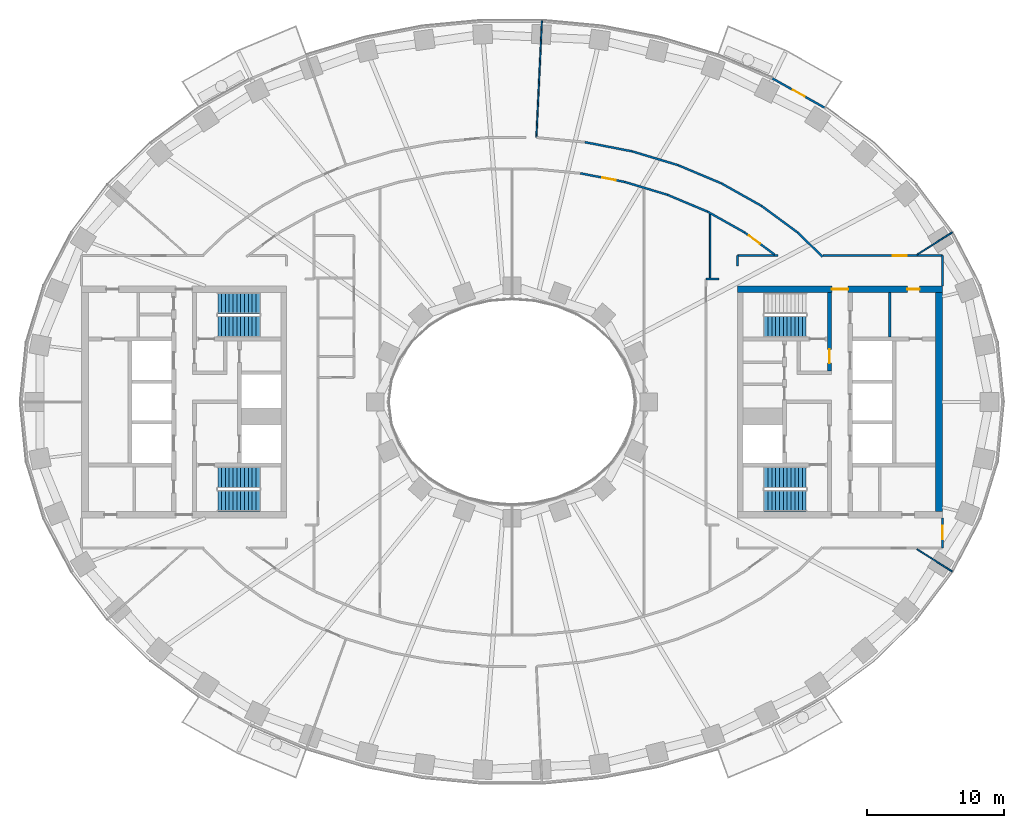
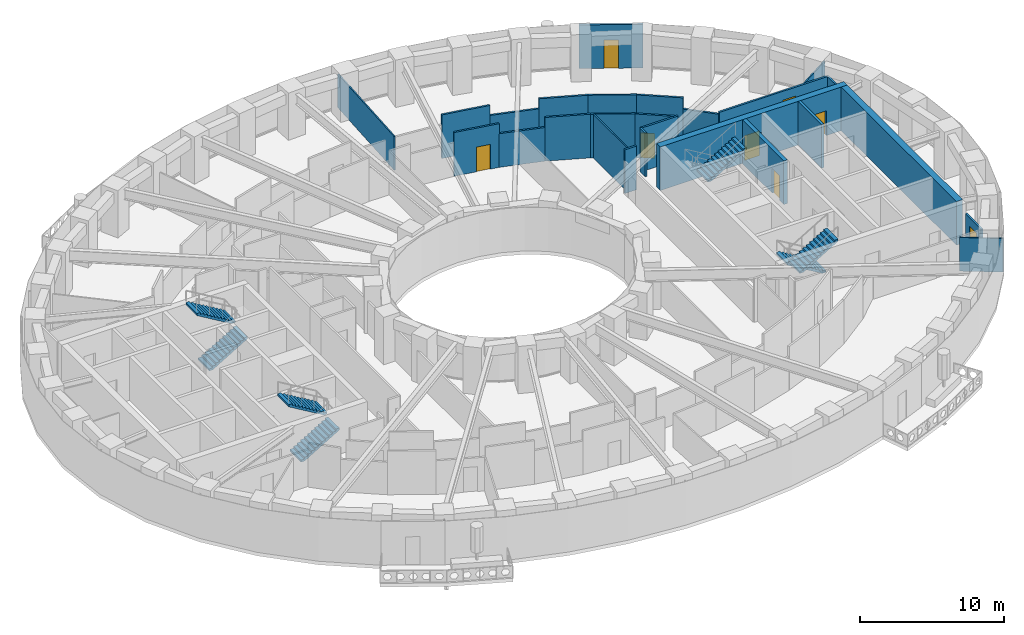
# One storey, part 7 of 16: 26 walls, 8 doors, 7 stair flights, 8 openings, 4 elements without a shape of their own.
"""IFC4 building model written with IfcOpenShell, lengths in metres."""

from ifc_helpers import new_model, si_unit, direction, frame, frame_2d, origin, place, context, subcontext, project, spatial, polyline, rectangle, outline, extrude, material, layer, layer_set, type_object, element, fill, aggregate, save


model = new_model("IFC4")

# Units and contexts
model_context = context("Model", 3, precision=1e-05, world=origin(), true_north=direction((0.0, 1.0)))
body_context = subcontext(model_context, "Body", "Model", "MODEL_VIEW")
ifc_project = project(units=[si_unit("LENGTHUNIT", "METRE"), si_unit("AREAUNIT", "SQUARE_METRE"), si_unit("VOLUMEUNIT", "CUBIC_METRE"), si_unit("PLANEANGLEUNIT", "RADIAN"), si_unit("MASSUNIT", "GRAM", prefix="KILO")], contexts=[model_context])

# Site, building, storey
site_placement = place(None, origin())
site = spatial("IfcSite", under=ifc_project, at=site_placement, CompositionType="ELEMENT")
building_placement = place(site_placement, origin())
building = spatial("IfcBuilding", under=site, at=building_placement, Name="Noorbagh Ring Tower", CompositionType="ELEMENT")
storey_placement = place(building_placement, frame((0.0, 0.0, 74.5)))
storey = spatial("IfcBuildingStorey", under=building, at=storey_placement, Name="L16", CompositionType="ELEMENT", Elevation=74.5)

# Wall
ifc_material_1 = material(Name="Gypsum board on steel studs", Category="steel")
ifc_layer_1 = layer(ifc_material_1, 0.199951171875)
ifc_layer_set_1 = layer_set([ifc_layer_1], Name="Gypsum board on steel studs")
wall_type_1 = type_object("IfcWallType", Name="CORE-PARTITION-200", PredefinedType="PARTITIONING", material=ifc_layer_set_1)
wall_1_placement = place(storey_placement, frame((27.64990234375, 4.75, 0.0), z_axis=(0.0, 0.0, 1.0), x_axis=(0.0, 1.0, 0.0)))
element("IfcWall", 1, at=wall_1_placement, inside=storey, type_object=wall_type_1, Name="Core partition E", PredefinedType="PARTITIONING", context=body_context, shape_type="SweptSolid", body=[
    extrude(rectangle(XDim=3.25, YDim=0.199951171875, at=frame_2d((1.625, 0.0))), origin(), (0.0, 0.0, 1.0), 3.699951171875),
])

# Wall, opening, door
ifc_material_2 = material(Name="Concrete C70/85", Category="concrete")
ifc_layer_2 = layer(ifc_material_2, 0.300048828125)
ifc_layer_set_2 = layer_set([ifc_layer_2], Name="Concrete C70/85")
wall_type_2 = type_object("IfcWallType", Name="CORE-WALL-300-C70-85-EI240", PredefinedType="SHEAR", material=ifc_layer_set_2)
wall_2_placement = place(storey_placement, frame((23.22998046875, 2.25, 0.0), z_axis=(0.0, 0.0, 1.0), x_axis=(0.0, 1.0, 0.0)))
wall_2 = element("IfcWall", 2, at=wall_2_placement, inside=storey, type_object=wall_type_2, Name="Core wall E", PredefinedType="SHEAR", context=body_context, shape_type="SweptSolid", body=[
    extrude(rectangle(XDim=5.75, YDim=0.300048828125, at=frame_2d((2.875, 0.0))), origin(), (0.0, 0.0, 1.0), 3.699951171875),
])
opening_1_placement = place(wall_2_placement, frame((0.60009765625, 0.0, 0.0)))
opening_1 = element("IfcOpeningElement", 3, at=opening_1_placement, cuts=wall_2, Name="Opening L16-CE08", PredefinedType="OPENING", context=body_context, shape_type="SweptSolid", body=[
    extrude(rectangle(XDim=1.0, YDim=2.10009765625, at=frame_2d((0.5, 1.050048828125))), frame((0.0, 0.16015625, 0.0), z_axis=(0.0, -1.0, 0.0), x_axis=(1.0, 0.0, 0.0)), (0.0, 0.0, 1.0), 0.320068359375),
])
ifc_material_3 = material(Name="Steel door leaf", Category="steel")
door_type_1 = type_object("IfcDoorType", Name="CORE-DOOR-DVEST", OperationType="SINGLE_SWING_LEFT", PredefinedType="DOOR", material=ifc_material_3)
door_1_placement = place(opening_1_placement, origin())
door_1 = element("IfcDoor", 4, at=door_1_placement, inside=storey, type_object=door_type_1, Name="Stair vestibule door L16-CE08", OperationType="SINGLE_SWING_RIGHT", OverallHeight=2.10009765625, OverallWidth=1.0, PredefinedType="DOOR", context=body_context, shape_type="SweptSolid", body=[
    extrude(rectangle(XDim=1.0, YDim=2.10009765625, at=frame_2d((0.5, 1.050048828125))), frame((0.0, 0.02490234375, 0.0), z_axis=(0.0, -1.0, 0.0), x_axis=(1.0, 0.0, 0.0)), (0.0, 0.0, 1.0), 0.050048828125),
])
fill(opening_1, door_1)

# Wall, openings, doors
ifc_material_4 = material(Name="Concrete C70/85", Category="concrete")
ifc_layer_3 = layer(ifc_material_4, 0.5)
ifc_layer_set_3 = layer_set([ifc_layer_3], Name="Concrete C70/85")
wall_type_3 = type_object("IfcWallType", Name="CORE-WALL-500-C70-85-EI240", PredefinedType="SHEAR", material=ifc_layer_set_3)
wall_3_placement = place(storey_placement, frame((16.5, 8.25, 0.0), z_axis=(0.0, 0.0, 1.0), x_axis=(1.0, 0.0, 0.0)))
wall_3 = element("IfcWall", 5, at=wall_3_placement, inside=storey, type_object=wall_type_3, Name="Core wall E", PredefinedType="SHEAR", context=body_context, shape_type="SweptSolid", body=[
    extrude(rectangle(XDim=15.0, YDim=0.5, at=frame_2d((7.5, 0.0))), origin(), (0.0, 0.0, 1.0), 3.699951171875),
])
opening_2_placement = place(wall_3_placement, frame((6.89990234375, 0.0, 0.0)))
opening_2 = element("IfcOpeningElement", 6, at=opening_2_placement, cuts=wall_3, Name="Opening L16-CE09", PredefinedType="OPENING", context=body_context, shape_type="SweptSolid", body=[
    extrude(rectangle(XDim=1.199951171875, YDim=2.10009765625, at=frame_2d((0.60009765625, 1.050048828125))), frame((0.0, 0.260009765625, 0.0), z_axis=(0.0, -1.0, 0.0), x_axis=(1.0, 0.0, 0.0)), (0.0, 0.0, 1.0), 0.52001953125),
])
opening_3_placement = place(wall_3_placement, frame((12.425048828125, 0.0, 0.0)))
opening_3 = element("IfcOpeningElement", 7, at=opening_3_placement, cuts=wall_3, Name="Opening L16-CE15", PredefinedType="OPENING", context=body_context, shape_type="SweptSolid", body=[
    extrude(rectangle(XDim=0.89990234375, YDim=2.10009765625, at=frame_2d((0.449951171875, 1.050048828125))), frame((0.0, 0.260009765625, 0.0), z_axis=(0.0, -1.0, 0.0), x_axis=(1.0, 0.0, 0.0)), (0.0, 0.0, 1.0), 0.52001953125),
])
ifc_material_5 = material(Name="Steel door leaf", Category="steel")
door_type_2 = type_object("IfcDoorType", Name="CORE-DOOR-DROOM", OperationType="SINGLE_SWING_LEFT", PredefinedType="DOOR", material=ifc_material_5)
door_2_placement = place(opening_3_placement, origin())
door_2 = element("IfcDoor", 8, at=door_2_placement, inside=storey, type_object=door_type_2, Name="Core room door L16-CE15", OperationType="SINGLE_SWING_LEFT", OverallHeight=2.10009765625, OverallWidth=0.89990234375, PredefinedType="DOOR", context=body_context, shape_type="SweptSolid", body=[
    extrude(rectangle(XDim=0.89990234375, YDim=2.10009765625, at=frame_2d((0.449951171875, 1.050048828125))), frame((0.0, 0.02490234375, 0.0), z_axis=(0.0, -1.0, 0.0), x_axis=(1.0, 0.0, 0.0)), (0.0, 0.0, 1.0), 0.050048828125),
])
fill(opening_3, door_2)
ifc_material_6 = material(Name="Steel door leaf", Category="steel")
door_type_3 = type_object("IfcDoorType", Name="CORE-DOOR-PORT", OperationType="DOUBLE_DOOR_DOUBLE_SWING", PredefinedType="DOOR", material=ifc_material_6)
door_3_placement = place(opening_2_placement, origin())
door_3 = element("IfcDoor", 9, at=door_3_placement, inside=storey, type_object=door_type_3, Name="Core entrance door L16-CE09", OperationType="DOUBLE_DOOR_DOUBLE_SWING", OverallHeight=2.10009765625, OverallWidth=1.199951171875, PredefinedType="DOOR", context=body_context, shape_type="SweptSolid", body=[
    extrude(rectangle(XDim=1.199951171875, YDim=2.10009765625, at=frame_2d((0.60009765625, 1.050048828125))), frame((0.0, 0.02490234375, 0.0), z_axis=(0.0, -1.0, 0.0), x_axis=(1.0, 0.0, 0.0)), (0.0, 0.0, 1.0), 0.050048828125),
])
fill(opening_2, door_3)

# Wall
wall_4_placement = place(storey_placement, frame((31.25, -8.0, 0.0), z_axis=(0.0, 0.0, 1.0), x_axis=(0.0, 1.0, 0.0)))
element("IfcWall", 10, at=wall_4_placement, inside=storey, type_object=wall_type_3, Name="Core wall E", PredefinedType="SHEAR", context=body_context, shape_type="SweptSolid", body=[
    extrude(rectangle(XDim=16.0, YDim=0.5, at=frame_2d((8.0, 0.0))), origin(), (0.0, 0.0, 1.0), 3.699951171875),
])

# Wall, opening, door
ifc_material_7 = material(Name="Gypsum board on steel studs", Category="steel")
ifc_layer_4 = layer(ifc_material_7, 0.14990234375)
ifc_layer_set_4 = layer_set([ifc_layer_4], Name="Gypsum board on steel studs")
wall_type_4 = type_object("IfcWallType", Name="CORRIDOR PARTITION 150 EI 30", PredefinedType="PARTITIONING", material=ifc_layer_set_4)
wall_5_placement = place(storey_placement, frame((4.998046875, 16.73095703125, 0.0), z_axis=(0.0, 0.0, 1.0), x_axis=(0.981621529558, -0.190838079815, 0.0)))
wall_5 = element("IfcWall", 11, at=wall_5_placement, inside=storey, type_object=wall_type_4, Name="L16/wall/P70", PredefinedType="PARTITIONING", context=body_context, shape_type="SweptSolid", body=[
    extrude(rectangle(XDim=3.310791015625, YDim=0.14990234375, at=frame_2d((1.6552734375, 0.0))), origin(), (0.0, 0.0, 1.0), 3.699951171875),
])
opening_4_placement = place(wall_5_placement, frame((1.64990234375, 0.0, 0.0)))
opening_4 = element("IfcOpeningElement", 12, at=opening_4_placement, cuts=wall_5, Name="Opening D1", PredefinedType="OPENING", context=body_context, shape_type="SweptSolid", body=[
    extrude(rectangle(XDim=1.0, YDim=2.10009765625, at=frame_2d((0.5, 1.050048828125))), frame((0.0, 0.0849609375, 0.0), z_axis=(0.0, -1.0, 0.0), x_axis=(1.0, 0.0, 0.0)), (0.0, 0.0, 1.0), 0.169921875),
])
ifc_material_8 = material(Name="Timber, painted", Category="wood")
door_type_4 = type_object("IfcDoorType", Name="DOOR 1000 X 2100 FD30", OperationType="SINGLE_SWING_LEFT", PredefinedType="DOOR", material=ifc_material_8)
door_4_placement = place(opening_4_placement, origin())
door_4 = element("IfcDoor", 13, at=door_4_placement, inside=storey, type_object=door_type_4, Name="L16-D18", OperationType="SINGLE_SWING_RIGHT", OverallHeight=2.10009765625, OverallWidth=1.0, PredefinedType="DOOR", context=body_context, shape_type="SweptSolid", body=[
    extrude(rectangle(XDim=1.0, YDim=2.10009765625, at=frame_2d((0.5, 1.050048828125))), frame((0.0, 0.02490234375, 0.0), z_axis=(0.0, -1.0, 0.0), x_axis=(1.0, 0.0, 0.0)), (0.0, 0.0, 1.0), 0.050048828125),
])
fill(opening_4, door_4)

# Walls
wall_6_placement = place(storey_placement, frame((5.327880859375, 19.010009765625, 0.0), z_axis=(0.0, 0.0, 1.0), x_axis=(0.981620418387, -0.190843795306, 0.0)))
element("IfcWall", 14, at=wall_6_placement, inside=storey, type_object=wall_type_4, Name="L16/wall/P72", PredefinedType="PARTITIONING", context=body_context, shape_type="SweptSolid", body=[
    extrude(rectangle(XDim=3.537109375, YDim=0.14990234375, at=frame_2d((1.7685546875, 0.0))), origin(), (0.0, 0.0, 1.0), 3.699951171875),
])
wall_7_placement = place(storey_placement, frame((8.248046875, 16.09912109375, 0.0), z_axis=(0.0, 0.0, 1.0), x_axis=(0.95757464185, -0.28818536619, 0.0)))
element("IfcWall", 15, at=wall_7_placement, inside=storey, type_object=wall_type_4, Name="L16/wall/P74", PredefinedType="PARTITIONING", context=body_context, shape_type="SweptSolid", body=[
    extrude(rectangle(XDim=3.262451171875, YDim=0.14990234375, at=frame_2d((1.63134765625, 0.0))), origin(), (0.0, 0.0, 1.0), 2.85009765625),
])
wall_8_placement = place(storey_placement, frame((8.800048828125, 18.3349609375, 0.0), z_axis=(0.0, 0.0, 1.0), x_axis=(0.957528149021, -0.288339806186, 0.0)))
element("IfcWall", 16, at=wall_8_placement, inside=storey, type_object=wall_type_4, Name="L16/wall/P76", PredefinedType="PARTITIONING", context=body_context, shape_type="SweptSolid", body=[
    extrude(rectangle(XDim=3.49951171875, YDim=0.14990234375, at=frame_2d((1.749755859375, 0.0))), origin(), (0.0, 0.0, 1.0), 2.85009765625),
])
wall_9_placement = place(storey_placement, frame((11.3720703125, 15.158935546875, 0.0), z_axis=(0.0, 0.0, 1.0), x_axis=(0.921799502591, -0.387666966638, 0.0)))
element("IfcWall", 17, at=wall_9_placement, inside=storey, type_object=wall_type_4, Name="L16/wall/P79", PredefinedType="PARTITIONING", context=body_context, shape_type="SweptSolid", body=[
    extrude(rectangle(XDim=3.1904296875, YDim=0.14990234375, at=frame_2d((1.59521484375, 0.0))), origin(), (0.0, 0.0, 1.0), 3.699951171875),
])
wall_10_placement = place(storey_placement, frame((12.15087890625, 17.325927734375, 0.0), z_axis=(0.0, 0.0, 1.0), x_axis=(0.921891448612, -0.387448263612, 0.0)))
element("IfcWall", 18, at=wall_10_placement, inside=storey, type_object=wall_type_4, Name="L16/wall/P81", PredefinedType="PARTITIONING", context=body_context, shape_type="SweptSolid", body=[
    extrude(rectangle(XDim=3.443115234375, YDim=0.14990234375, at=frame_2d((1.7216796875, 0.0))), origin(), (0.0, 0.0, 1.0), 3.699951171875),
])
wall_11_placement = place(storey_placement, frame((14.199951171875, 9.0, 0.0), z_axis=(0.0, 0.0, 1.0), x_axis=(1.0, 0.0, 0.0)))
element("IfcWall", 19, at=wall_11_placement, inside=storey, type_object=wall_type_4, Name="L16/wall/P84", PredefinedType="PARTITIONING", context=body_context, shape_type="SweptSolid", body=[
    extrude(rectangle(XDim=0.93408203125, YDim=0.14990234375, at=frame_2d((0.467041015625, 0.0))), origin(), (0.0, 0.0, 1.0), 3.699951171875),
])
wall_12_placement = place(storey_placement, frame((14.31298828125, 13.922119140625, 0.0), z_axis=(0.0, 0.0, 1.0), x_axis=(0.871977874087, -0.489545286059, 0.0)))
element("IfcWall", 20, at=wall_12_placement, inside=storey, type_object=wall_type_4, Name="L16/wall/P86", PredefinedType="PARTITIONING", context=body_context, shape_type="SweptSolid", body=[
    extrude(rectangle(XDim=3.093017578125, YDim=0.14990234375, at=frame_2d((1.54638671875, 0.0))), origin(), (0.0, 0.0, 1.0), 3.699951171875),
])
wall_13_placement = place(storey_placement, frame((15.324951171875, 15.991943359375, 0.0), z_axis=(0.0, 0.0, 1.0), x_axis=(0.871958798398, -0.489579262118, 0.0)))
element("IfcWall", 21, at=wall_13_placement, inside=storey, type_object=wall_type_4, Name="L16/wall/P90", PredefinedType="PARTITIONING", context=body_context, shape_type="SweptSolid", body=[
    extrude(rectangle(XDim=3.365966796875, YDim=0.14990234375, at=frame_2d((1.68310546875, 0.0))), origin(), (0.0, 0.0, 1.0), 3.699951171875),
])
wall_14_placement = place(storey_placement, frame((16.5, 9.964111328125, 0.0), z_axis=(0.0, 0.0, 1.0), x_axis=(0.0, 1.0, 0.0)))
element("IfcWall", 22, at=wall_14_placement, inside=storey, type_object=wall_type_4, Name="L16/wall/P93", PredefinedType="PARTITIONING", context=body_context, shape_type="SweptSolid", body=[
    extrude(rectangle(XDim=0.73583984375, YDim=0.14990234375, at=frame_2d((0.367919921875, 0.0))), origin(), (0.0, 0.0, 1.0), 3.699951171875),
])
wall_15_placement = place(storey_placement, frame((16.5, 10.699951171875, 0.0), z_axis=(0.0, 0.0, 1.0), x_axis=(1.0, 0.0, 0.0)))
element("IfcWall", 23, at=wall_15_placement, inside=storey, type_object=wall_type_4, Name="L16/wall/P94", PredefinedType="PARTITIONING", context=body_context, shape_type="SweptSolid", body=[
    extrude(rectangle(XDim=2.95703125, YDim=0.14990234375, at=frame_2d((1.478515625, 0.0))), origin(), (0.0, 0.0, 1.0), 3.699951171875),
])

# Wall, opening, door
wall_16_placement = place(storey_placement, frame((17.010009765625, 12.407958984375, 0.0), z_axis=(0.0, 0.0, 1.0), x_axis=(0.805276342361, -0.592899664728, 0.0)))
wall_16 = element("IfcWall", 24, at=wall_16_placement, inside=storey, type_object=wall_type_4, Name="L16/wall/P96", PredefinedType="PARTITIONING", context=body_context, shape_type="SweptSolid", body=[
    extrude(rectangle(XDim=2.75439453125, YDim=0.14990234375, at=frame_2d((1.377197265625, 0.0))), origin(), (0.0, 0.0, 1.0), 3.699951171875),
])
opening_5_placement = place(wall_16_placement, frame((0.39990234375, 0.0, 0.0)))
opening_5 = element("IfcOpeningElement", 25, at=opening_5_placement, cuts=wall_16, Name="Opening D1", PredefinedType="OPENING", context=body_context, shape_type="SweptSolid", body=[
    extrude(rectangle(XDim=1.0, YDim=2.10009765625, at=frame_2d((0.5, 1.050048828125))), frame((0.0, 0.0849609375, 0.0), z_axis=(0.0, -1.0, 0.0), x_axis=(1.0, 0.0, 0.0)), (0.0, 0.0, 1.0), 0.169921875),
])
door_5_placement = place(opening_5_placement, origin())
door_5 = element("IfcDoor", 26, at=door_5_placement, inside=storey, type_object=door_type_4, Name="L16-D21", OperationType="SINGLE_SWING_LEFT", OverallHeight=2.10009765625, OverallWidth=1.0, PredefinedType="DOOR", context=body_context, shape_type="SweptSolid", body=[
    extrude(rectangle(XDim=1.0, YDim=2.10009765625, at=frame_2d((0.5, 1.050048828125))), frame((0.0, 0.02490234375, 0.0), z_axis=(0.0, -1.0, 0.0), x_axis=(1.0, 0.0, 0.0)), (0.0, 0.0, 1.0), 0.050048828125),
])
fill(opening_5, door_5)

# Walls
wall_17_placement = place(storey_placement, frame((18.260009765625, 14.343994140625, 0.0), z_axis=(0.0, 0.0, 1.0), x_axis=(0.805303685339, -0.592862525701, 0.0)))
element("IfcWall", 27, at=wall_17_placement, inside=storey, type_object=wall_type_4, Name="L16/wall/P98", PredefinedType="PARTITIONING", context=body_context, shape_type="SweptSolid", body=[
    extrude(rectangle(XDim=3.267333984375, YDim=0.14990234375, at=frame_2d((1.6337890625, 0.0))), origin(), (0.0, 0.0, 1.0), 3.699951171875),
])
wall_18_placement = place(storey_placement, frame((20.89111328125, 12.406982421875, 0.0), z_axis=(0.0, 0.0, 1.0), x_axis=(0.71701613235, -0.697056572991, 0.0)))
element("IfcWall", 28, at=wall_18_placement, inside=storey, type_object=wall_type_4, Name="L16/wall/P100", PredefinedType="PARTITIONING", context=body_context, shape_type="SweptSolid", body=[
    extrude(rectangle(XDim=2.556396484375, YDim=0.14990234375, at=frame_2d((1.2783203125, 0.0))), origin(), (0.0, 0.0, 1.0), 2.75),
])

# Wall, opening, door
wall_19_placement = place(storey_placement, frame((22.7548828125, 10.699951171875, 0.0), z_axis=(0.0, 0.0, 1.0), x_axis=(1.0, 0.0, 0.0)))
wall_19 = element("IfcWall", 29, at=wall_19_placement, inside=storey, type_object=wall_type_4, Name="L16/wall/P102", PredefinedType="PARTITIONING", context=body_context, shape_type="SweptSolid", body=[
    extrude(rectangle(XDim=8.7451171875, YDim=0.14990234375, at=frame_2d((4.37255859375, 0.0))), origin(), (0.0, 0.0, 1.0), 2.85009765625),
])
opening_6_placement = place(wall_19_placement, frame((5.115966796875, 0.0, 0.0)))
opening_6 = element("IfcOpeningElement", 30, at=opening_6_placement, cuts=wall_19, Name="Opening D1", PredefinedType="OPENING", context=body_context, shape_type="SweptSolid", body=[
    extrude(rectangle(XDim=1.0, YDim=2.10009765625, at=frame_2d((0.5, 1.050048828125))), frame((0.0, 0.0849609375, 0.0), z_axis=(0.0, -1.0, 0.0), x_axis=(1.0, 0.0, 0.0)), (0.0, 0.0, 1.0), 0.169921875),
])
door_6_placement = place(opening_6_placement, origin())
door_6 = element("IfcDoor", 31, at=door_6_placement, inside=storey, type_object=door_type_4, Name="L16-D13", OperationType="SINGLE_SWING_LEFT", OverallHeight=2.10009765625, OverallWidth=1.0, PredefinedType="DOOR", context=body_context, shape_type="SweptSolid", body=[
    extrude(rectangle(XDim=1.0, YDim=2.10009765625, at=frame_2d((0.5, 1.050048828125))), frame((0.0, 0.02490234375, 0.0), z_axis=(0.0, -1.0, 0.0), x_axis=(1.0, 0.0, 0.0)), (0.0, 0.0, 1.0), 0.050048828125),
])
fill(opening_6, door_6)

wall_20_placement = place(storey_placement, frame((31.5, -10.699951171875, 0.0), z_axis=(0.0, 0.0, 1.0), x_axis=(0.0, 1.0, 0.0)))
wall_20 = element("IfcWall", 32, at=wall_20_placement, inside=storey, type_object=wall_type_4, Name="L16/wall/P105", PredefinedType="PARTITIONING", context=body_context, shape_type="SweptSolid", body=[
    extrude(rectangle(XDim=2.199951171875, YDim=0.14990234375, at=frame_2d((1.10009765625, 0.0))), origin(), (0.0, 0.0, 1.0), 2.85009765625),
])
opening_7_placement = place(wall_20_placement, frame((0.64990234375, 0.0, 0.0)))
opening_7 = element("IfcOpeningElement", 33, at=opening_7_placement, cuts=wall_20, Name="Opening D1", PredefinedType="OPENING", context=body_context, shape_type="SweptSolid", body=[
    extrude(rectangle(XDim=1.0, YDim=2.10009765625, at=frame_2d((0.5, 1.050048828125))), frame((0.0, 0.0849609375, 0.0), z_axis=(0.0, -1.0, 0.0), x_axis=(1.0, 0.0, 0.0)), (0.0, 0.0, 1.0), 0.169921875),
])
door_7_placement = place(opening_7_placement, origin())
door_7 = element("IfcDoor", 34, at=door_7_placement, inside=storey, type_object=door_type_4, Name="L16-D14", OperationType="SINGLE_SWING_RIGHT", OverallHeight=2.10009765625, OverallWidth=1.0, PredefinedType="DOOR", context=body_context, shape_type="SweptSolid", body=[
    extrude(rectangle(XDim=1.0, YDim=2.10009765625, at=frame_2d((0.5, 1.050048828125))), frame((0.0, 0.02490234375, 0.0), z_axis=(0.0, -1.0, 0.0), x_axis=(1.0, 0.0, 0.0)), (0.0, 0.0, 1.0), 0.050048828125),
])
fill(opening_7, door_7)

# Wall
wall_21_placement = place(storey_placement, frame((31.5, 8.5, 0.0), z_axis=(0.0, 0.0, 1.0), x_axis=(0.0, 1.0, 0.0)))
element("IfcWall", 35, at=wall_21_placement, inside=storey, type_object=wall_type_4, Name="L16/wall/P106", PredefinedType="PARTITIONING", context=body_context, shape_type="SweptSolid", body=[
    extrude(rectangle(XDim=2.199951171875, YDim=0.14990234375, at=frame_2d((1.10009765625, 0.0))), origin(), (0.0, 0.0, 1.0), 2.85009765625),
])

# Wall, opening, door
ifc_material_9 = material(Name="Insulated aluminium clad panel", Category="aluminium")
ifc_layer_5 = layer(ifc_material_9, 0.14990234375)
ifc_layer_set_5 = layer_set([ifc_layer_5], Name="Insulated aluminium clad panel")
wall_type_5 = type_object("IfcWallType", Name="ENV-WALL-DOOR", PredefinedType="STANDARD", material=ifc_layer_set_5)
wall_22_placement = place(storey_placement, frame((22.913330078125, 21.508544921875, 0.0), z_axis=(0.0, 0.0, 1.0), x_axis=(-0.872046572975, 0.489422899509, 0.0)))
wall_22 = element("IfcWall", 36, at=wall_22_placement, inside=storey, type_object=wall_type_5, Name="Balcony door wall chord 07", PredefinedType="STANDARD", context=body_context, shape_type="SweptSolid", body=[
    extrude(rectangle(XDim=4.425537109375, YDim=0.14990234375, at=frame_2d((2.212890625, 0.0))), origin(), (0.0, 0.0, 1.0), 3.699951171875),
])
opening_8_placement = place(wall_22_placement, frame((1.712646484375, 0.0, 0.0)))
opening_8 = element("IfcOpeningElement", 37, at=opening_8_placement, cuts=wall_22, Name="Opening D-BL", PredefinedType="OPENING", context=body_context, shape_type="SweptSolid", body=[
    extrude(rectangle(XDim=1.0, YDim=2.39990234375, at=frame_2d((0.5, 1.199951171875))), frame((0.0, 0.0849609375, 0.0), z_axis=(0.0, -1.0, 0.0), x_axis=(1.0, 0.0, 0.0)), (0.0, 0.0, 1.0), 0.169921875),
])
ifc_material_10 = material(Name="Aluminium and glass", Category="aluminium")
door_type_5 = type_object("IfcDoorType", Name="ENV-DOOR-BALCONY", OperationType="SINGLE_SWING_LEFT", PredefinedType="DOOR", material=ifc_material_10)
door_8_placement = place(opening_8_placement, origin())
door_8 = element("IfcDoor", 38, at=door_8_placement, inside=storey, type_object=door_type_5, Name="Balcony door chord 07", OperationType="SINGLE_SWING_LEFT", OverallHeight=2.39990234375, OverallWidth=1.0, PredefinedType="DOOR", context=body_context, shape_type="SweptSolid", body=[
    extrude(rectangle(XDim=1.0, YDim=2.39990234375, at=frame_2d((0.5, 1.199951171875))), frame((0.0, 0.02490234375, 0.0), z_axis=(0.0, -1.0, 0.0), x_axis=(1.0, 0.0, 0.0)), (0.0, 0.0, 1.0), 0.050048828125),
])
fill(opening_8, door_8)

# Walls
ifc_material_11 = material(Name="Gypsum board on steel studs", Category="steel")
ifc_layer_6 = layer(ifc_material_11, 0.10009765625)
ifc_layer_set_6 = layer_set([ifc_layer_6], Name="Gypsum board on steel studs")
wall_type_6 = type_object("IfcWallType", Name="PARTITION 100 GYPSUM", PredefinedType="PARTITIONING", material=ifc_layer_set_6)
wall_23_placement = place(storey_placement, frame((1.784912109375, 19.364990234375, 0.0), z_axis=(0.0, 0.0, 1.0), x_axis=(0.04741307074, 0.998875367963, 0.0)))
element("IfcWall", 39, at=wall_23_placement, inside=storey, type_object=wall_type_6, Name="L16/wall/P66", PredefinedType="PARTITIONING", context=body_context, shape_type="SweptSolid", body=[
    extrude(rectangle(XDim=8.54248046875, YDim=0.10009765625, at=frame_2d((4.271240234375, 0.0))), origin(), (0.0, 0.0, 1.0), 2.85009765625),
])
wall_24_placement = place(storey_placement, frame((14.4970703125, 9.074951171875, 0.0), z_axis=(0.0, 0.0, 1.0), x_axis=(0.0, 1.0, 0.0)))
element("IfcWall", 40, at=wall_24_placement, inside=storey, type_object=wall_type_6, Name="L16/wall/P88", PredefinedType="PARTITIONING", context=body_context, shape_type="SweptSolid", body=[
    extrude(rectangle(XDim=4.654052734375, YDim=0.10009765625, at=frame_2d((2.3271484375, 0.0))), origin(), (0.0, 0.0, 1.0), 3.699951171875),
])
for number, where, z_axis, x_axis, name in (
    (41, (29.636962890625, -10.777099609375, 0.0), (0.0, 0.0, 1.0), (0.844810627195, -0.535065420467, 0.0), "L16/wall/P103"),
    (42, (29.636962890625, 10.777099609375, 0.0), (0.0, 0.0, 1.0), (0.844810627195, 0.535065420467, 0.0), "L16/wall/P104"),
):
    element("IfcWall", number, at=place(storey_placement, frame(where, z_axis=z_axis, x_axis=x_axis)), inside=storey, type_object=wall_type_6, Name=name, PredefinedType="PARTITIONING", context=body_context, shape_type="SweptSolid", body=[
        extrude(rectangle(XDim=3.0478515625, YDim=0.10009765625, at=frame_2d((1.52392578125, 0.0))), origin(), (0.0, 0.0, 1.0), 2.85009765625),
    ])

# Stair, stair flights
ifc_material_12 = material(Name="Concrete C40/50", Category="concrete")
stair_type = type_object("IfcStairType", Name="CORE-STAIR", PredefinedType="HALF_TURN_STAIR", material=ifc_material_12)
stair_1_placement = place(storey_placement, origin())
stair_1 = element("IfcStair", 43, at=stair_1_placement, inside=storey, type_object=stair_type, Name="L16 Exit stair ST1", PredefinedType="HALF_TURN_STAIR")
ifc_material_13 = material(Name="Concrete C40/50", Category="concrete")
stair_flight_type = type_object("IfcStairFlightType", Name="CORE-STAIR-FLIGHT", PredefinedType="STRAIGHT", material=ifc_material_13)
stair_flight_1_placement = place(storey_placement, frame((-21.530029296875, 5.52490234375, 0.0), z_axis=(0.0, 0.0, 1.0), x_axis=(1.0, 0.0, 0.0)))
stair_flight_1 = element("IfcStairFlight", 44, at=stair_flight_1_placement, type_object=stair_flight_type, Name="ST1 flight 1", NumberOfRisers=12, NumberOfTreads=11, PredefinedType="STRAIGHT", RiserHeight=0.166666667, TreadLength=0.28, context=body_context, shape_type="SweptSolid", body=[
    extrude(outline(polyline([(0.0, 0.0), (0.0, 0.166748046875), (0.280029296875, 0.166748046875), (0.280029296875, 0.333251953125), (0.56005859375, 0.333251953125), (0.56005859375, 0.5), (0.840087890625, 0.5), (0.840087890625, 0.666748046875), (1.1201171875, 0.666748046875), (1.1201171875, 0.833251953125), (1.39990234375, 0.833251953125), (1.39990234375, 1.0), (1.679931640625, 1.0), (1.679931640625, 1.166748046875), (1.9599609375, 1.166748046875), (1.9599609375, 1.333251953125), (2.239990234375, 1.333251953125), (2.239990234375, 1.5), (2.52001953125, 1.5), (2.52001953125, 1.666748046875), (2.800048828125, 1.666748046875), (2.800048828125, 1.833251953125), (3.080078125, 1.833251953125), (3.080078125, 2.0), (3.080078125, 1.658935546875), (0.29296875, 0.0), (0.0, 0.0)])), frame((0.0, 0.77490234375, 0.0), z_axis=(0.0, -1.0, 0.0), x_axis=(1.0, 0.0, 0.0)), (0.0, 0.0, 1.0), 1.550048828125),
])
stair_flight_2_placement = place(storey_placement, frame((-18.449951171875, 7.22509765625, 2.0), z_axis=(0.0, 0.0, 1.0), x_axis=(-1.0, 0.0, 0.0)))
stair_flight_2 = element("IfcStairFlight", 45, at=stair_flight_2_placement, type_object=stair_flight_type, Name="ST1 flight 2", NumberOfRisers=12, NumberOfTreads=11, PredefinedType="STRAIGHT", RiserHeight=0.166666667, TreadLength=0.28, context=body_context, shape_type="SweptSolid", body=[
    extrude(outline(polyline([(0.0, 0.0), (0.0, 0.166748046875), (0.280029296875, 0.166748046875), (0.280029296875, 0.333251953125), (0.56005859375, 0.333251953125), (0.56005859375, 0.5), (0.840087890625, 0.5), (0.840087890625, 0.666748046875), (1.1201171875, 0.666748046875), (1.1201171875, 0.833251953125), (1.39990234375, 0.833251953125), (1.39990234375, 1.0), (1.679931640625, 1.0), (1.679931640625, 1.166748046875), (1.9599609375, 1.166748046875), (1.9599609375, 1.333251953125), (2.239990234375, 1.333251953125), (2.239990234375, 1.5), (2.52001953125, 1.5), (2.52001953125, 1.666748046875), (2.800048828125, 1.666748046875), (2.800048828125, 1.833251953125), (3.080078125, 1.833251953125), (3.080078125, 2.0), (3.080078125, 1.658935546875), (0.29296875, 0.0), (0.0, 0.0)])), frame((0.0, 0.77490234375, 0.0), z_axis=(0.0, -1.0, 0.0), x_axis=(1.0, 0.0, 0.0)), (0.0, 0.0, 1.0), 1.550048828125),
])
aggregate(stair_1, [stair_flight_1, stair_flight_2])

stair_2_placement = place(storey_placement, origin())
stair_2 = element("IfcStair", 46, at=stair_2_placement, inside=storey, type_object=stair_type, Name="L16 Exit stair ST2", PredefinedType="HALF_TURN_STAIR")
stair_flight_3_placement = place(storey_placement, frame((-21.530029296875, -7.22509765625, 0.0), z_axis=(0.0, 0.0, 1.0), x_axis=(1.0, 0.0, 0.0)))
stair_flight_3 = element("IfcStairFlight", 47, at=stair_flight_3_placement, type_object=stair_flight_type, Name="ST2 flight 1", NumberOfRisers=12, NumberOfTreads=11, PredefinedType="STRAIGHT", RiserHeight=0.166666667, TreadLength=0.28, context=body_context, shape_type="SweptSolid", body=[
    extrude(outline(polyline([(0.0, 0.0), (0.0, 0.166748046875), (0.280029296875, 0.166748046875), (0.280029296875, 0.333251953125), (0.56005859375, 0.333251953125), (0.56005859375, 0.5), (0.840087890625, 0.5), (0.840087890625, 0.666748046875), (1.1201171875, 0.666748046875), (1.1201171875, 0.833251953125), (1.39990234375, 0.833251953125), (1.39990234375, 1.0), (1.679931640625, 1.0), (1.679931640625, 1.166748046875), (1.9599609375, 1.166748046875), (1.9599609375, 1.333251953125), (2.239990234375, 1.333251953125), (2.239990234375, 1.5), (2.52001953125, 1.5), (2.52001953125, 1.666748046875), (2.800048828125, 1.666748046875), (2.800048828125, 1.833251953125), (3.080078125, 1.833251953125), (3.080078125, 2.0), (3.080078125, 1.658935546875), (0.29296875, 0.0), (0.0, 0.0)])), frame((0.0, 0.77490234375, 0.0), z_axis=(0.0, -1.0, 0.0), x_axis=(1.0, 0.0, 0.0)), (0.0, 0.0, 1.0), 1.550048828125),
])
stair_flight_4_placement = place(storey_placement, frame((-18.449951171875, -5.52490234375, 2.0), z_axis=(0.0, 0.0, 1.0), x_axis=(-1.0, 0.0, 0.0)))
stair_flight_4 = element("IfcStairFlight", 48, at=stair_flight_4_placement, type_object=stair_flight_type, Name="ST2 flight 2", NumberOfRisers=12, NumberOfTreads=11, PredefinedType="STRAIGHT", RiserHeight=0.166666667, TreadLength=0.28, context=body_context, shape_type="SweptSolid", body=[
    extrude(outline(polyline([(0.0, 0.0), (0.0, 0.166748046875), (0.280029296875, 0.166748046875), (0.280029296875, 0.333251953125), (0.56005859375, 0.333251953125), (0.56005859375, 0.5), (0.840087890625, 0.5), (0.840087890625, 0.666748046875), (1.1201171875, 0.666748046875), (1.1201171875, 0.833251953125), (1.39990234375, 0.833251953125), (1.39990234375, 1.0), (1.679931640625, 1.0), (1.679931640625, 1.166748046875), (1.9599609375, 1.166748046875), (1.9599609375, 1.333251953125), (2.239990234375, 1.333251953125), (2.239990234375, 1.5), (2.52001953125, 1.5), (2.52001953125, 1.666748046875), (2.800048828125, 1.666748046875), (2.800048828125, 1.833251953125), (3.080078125, 1.833251953125), (3.080078125, 2.0), (3.080078125, 1.658935546875), (0.29296875, 0.0), (0.0, 0.0)])), frame((0.0, 0.77490234375, 0.0), z_axis=(0.0, -1.0, 0.0), x_axis=(1.0, 0.0, 0.0)), (0.0, 0.0, 1.0), 1.550048828125),
])
aggregate(stair_2, [stair_flight_3, stair_flight_4])

# Stair, stair flight
stair_3_placement = place(storey_placement, origin())
stair_3 = element("IfcStair", 49, at=stair_3_placement, inside=storey, type_object=stair_type, Name="L16 Exit stair ST3", PredefinedType="HALF_TURN_STAIR")
stair_flight_5_placement = place(storey_placement, frame((18.449951171875, 5.52490234375, 2.0), z_axis=(0.0, 0.0, 1.0), x_axis=(1.0, 0.0, 0.0)))
stair_flight_5 = element("IfcStairFlight", 50, at=stair_flight_5_placement, type_object=stair_flight_type, Name="ST3 flight 2", NumberOfRisers=12, NumberOfTreads=11, PredefinedType="STRAIGHT", RiserHeight=0.166666667, TreadLength=0.28, context=body_context, shape_type="SweptSolid", body=[
    extrude(outline(polyline([(0.0, 0.0), (0.0, 0.166748046875), (0.280029296875, 0.166748046875), (0.280029296875, 0.333251953125), (0.56005859375, 0.333251953125), (0.56005859375, 0.5), (0.840087890625, 0.5), (0.840087890625, 0.666748046875), (1.1201171875, 0.666748046875), (1.1201171875, 0.833251953125), (1.39990234375, 0.833251953125), (1.39990234375, 1.0), (1.679931640625, 1.0), (1.679931640625, 1.166748046875), (1.9599609375, 1.166748046875), (1.9599609375, 1.333251953125), (2.239990234375, 1.333251953125), (2.239990234375, 1.5), (2.52001953125, 1.5), (2.52001953125, 1.666748046875), (2.800048828125, 1.666748046875), (2.800048828125, 1.833251953125), (3.080078125, 1.833251953125), (3.080078125, 2.0), (3.080078125, 1.658935546875), (0.29296875, 0.0), (0.0, 0.0)])), frame((0.0, 0.77490234375, 0.0), z_axis=(0.0, -1.0, 0.0), x_axis=(1.0, 0.0, 0.0)), (0.0, 0.0, 1.0), 1.550048828125),
])
aggregate(stair_3, [stair_flight_5])

# Stair, stair flights
stair_4_placement = place(storey_placement, origin())
stair_4 = element("IfcStair", 51, at=stair_4_placement, inside=storey, type_object=stair_type, Name="L16 Exit stair ST4", PredefinedType="HALF_TURN_STAIR")
stair_flight_6_placement = place(storey_placement, frame((21.530029296875, -5.52490234375, 0.0), z_axis=(0.0, 0.0, 1.0), x_axis=(-1.0, 0.0, 0.0)))
stair_flight_6 = element("IfcStairFlight", 52, at=stair_flight_6_placement, type_object=stair_flight_type, Name="ST4 flight 1", NumberOfRisers=12, NumberOfTreads=11, PredefinedType="STRAIGHT", RiserHeight=0.166666667, TreadLength=0.28, context=body_context, shape_type="SweptSolid", body=[
    extrude(outline(polyline([(0.0, 0.0), (0.0, 0.166748046875), (0.280029296875, 0.166748046875), (0.280029296875, 0.333251953125), (0.56005859375, 0.333251953125), (0.56005859375, 0.5), (0.840087890625, 0.5), (0.840087890625, 0.666748046875), (1.1201171875, 0.666748046875), (1.1201171875, 0.833251953125), (1.39990234375, 0.833251953125), (1.39990234375, 1.0), (1.679931640625, 1.0), (1.679931640625, 1.166748046875), (1.9599609375, 1.166748046875), (1.9599609375, 1.333251953125), (2.239990234375, 1.333251953125), (2.239990234375, 1.5), (2.52001953125, 1.5), (2.52001953125, 1.666748046875), (2.800048828125, 1.666748046875), (2.800048828125, 1.833251953125), (3.080078125, 1.833251953125), (3.080078125, 2.0), (3.080078125, 1.658935546875), (0.29296875, 0.0), (0.0, 0.0)])), frame((0.0, 0.77490234375, 0.0), z_axis=(0.0, -1.0, 0.0), x_axis=(1.0, 0.0, 0.0)), (0.0, 0.0, 1.0), 1.550048828125),
])
stair_flight_7_placement = place(storey_placement, frame((18.449951171875, -7.22509765625, 2.0), z_axis=(0.0, 0.0, 1.0), x_axis=(1.0, 0.0, 0.0)))
stair_flight_7 = element("IfcStairFlight", 53, at=stair_flight_7_placement, type_object=stair_flight_type, Name="ST4 flight 2", NumberOfRisers=12, NumberOfTreads=11, PredefinedType="STRAIGHT", RiserHeight=0.166666667, TreadLength=0.28, context=body_context, shape_type="SweptSolid", body=[
    extrude(outline(polyline([(0.0, 0.0), (0.0, 0.166748046875), (0.280029296875, 0.166748046875), (0.280029296875, 0.333251953125), (0.56005859375, 0.333251953125), (0.56005859375, 0.5), (0.840087890625, 0.5), (0.840087890625, 0.666748046875), (1.1201171875, 0.666748046875), (1.1201171875, 0.833251953125), (1.39990234375, 0.833251953125), (1.39990234375, 1.0), (1.679931640625, 1.0), (1.679931640625, 1.166748046875), (1.9599609375, 1.166748046875), (1.9599609375, 1.333251953125), (2.239990234375, 1.333251953125), (2.239990234375, 1.5), (2.52001953125, 1.5), (2.52001953125, 1.666748046875), (2.800048828125, 1.666748046875), (2.800048828125, 1.833251953125), (3.080078125, 1.833251953125), (3.080078125, 2.0), (3.080078125, 1.658935546875), (0.29296875, 0.0), (0.0, 0.0)])), frame((0.0, 0.77490234375, 0.0), z_axis=(0.0, -1.0, 0.0), x_axis=(1.0, 0.0, 0.0)), (0.0, 0.0, 1.0), 1.550048828125),
])
aggregate(stair_4, [stair_flight_6, stair_flight_7])

save(model, "model.ifc")
